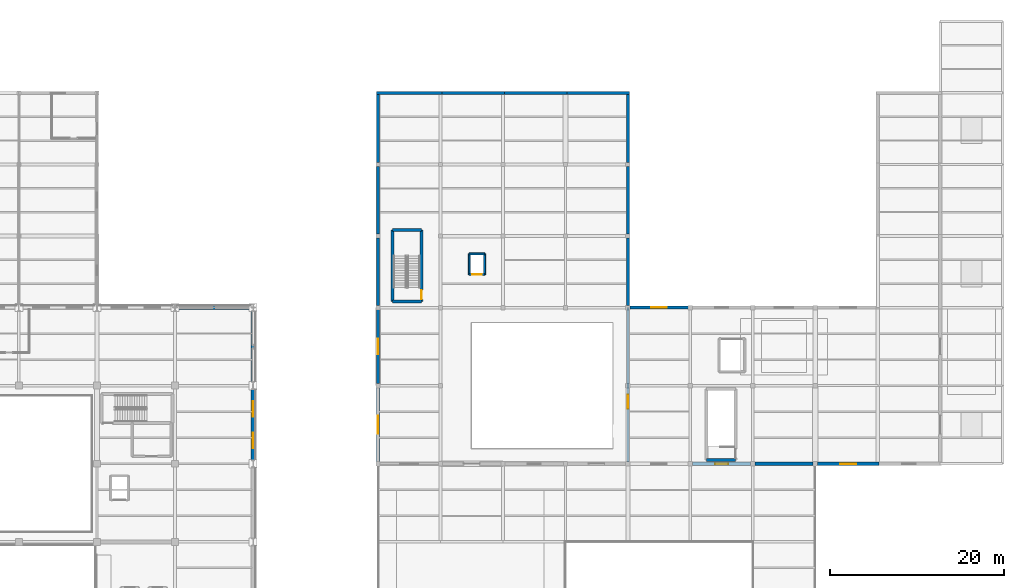
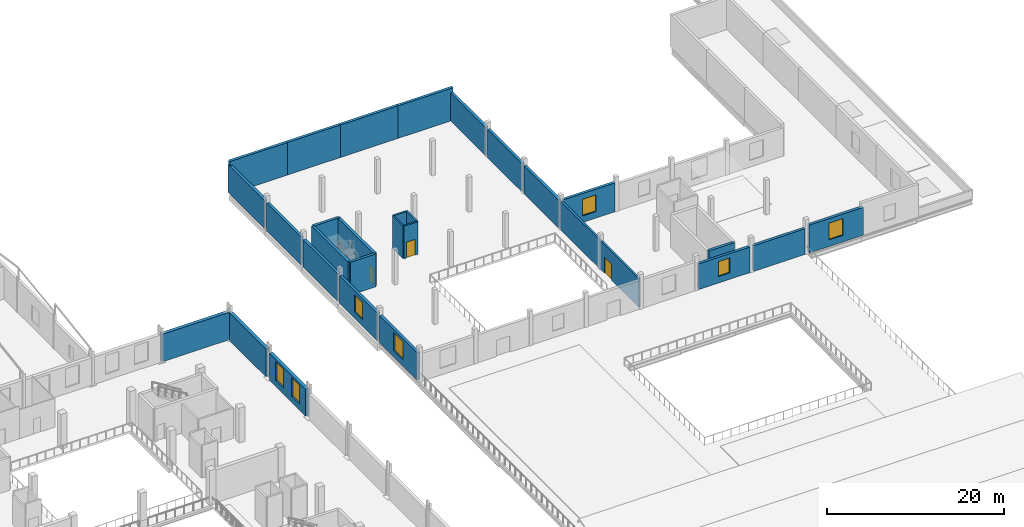
# One storey, part 37 of 54: 29 walls, 7 windows, 3 doors, 10 openings.
"""IFC4 building model written with IfcOpenShell, lengths in metres."""

from ifc_helpers import new_model, si_unit, direction, frame, frame_2d, origin, place, context, subcontext, project, spatial, rectangle, extrude, material, layer, layer_set, type_object, element, fill, save


model = new_model("IFC4")

# Units and contexts
model_context = context("Model", 3, precision=1e-05, world=origin(), true_north=direction((0.0, 1.0)))
body_context = subcontext(model_context, "Body", "Model", "MODEL_VIEW")
ifc_project = project(units=[si_unit("LENGTHUNIT", "METRE"), si_unit("AREAUNIT", "SQUARE_METRE"), si_unit("VOLUMEUNIT", "CUBIC_METRE"), si_unit("PLANEANGLEUNIT", "RADIAN"), si_unit("MASSUNIT", "GRAM", prefix="KILO")], contexts=[model_context])

# Site, building, storey
site_placement = place(None, origin())
site = spatial("IfcSite", under=ifc_project, at=site_placement, CompositionType="ELEMENT")
building_placement = place(site_placement, origin())
building = spatial("IfcBuilding", under=site, at=building_placement, Name="Sundgate Opera House", CompositionType="ELEMENT")
storey_placement = place(building_placement, frame((0.0, 0.0, 16.800048828125)))
storey = spatial("IfcBuildingStorey", under=building, at=storey_placement, Name="L03", CompositionType="ELEMENT", Elevation=16.800048828125)

# Walls
ifc_material_1 = material(Name="Concrete C40/50", Category="concrete")
ifc_layer_1 = layer(ifc_material_1, 0.35009765625)
ifc_layer_set_1 = layer_set([ifc_layer_1], Name="Concrete C40/50")
wall_type_1 = type_object("IfcWallType", Name="WL-CORE-350", PredefinedType="SHEAR", material=ifc_layer_set_1)
for number, where, z_axis, x_axis, name in (
    (1, (97.06005859375, 87.7099609375, 0.0), (0.0, 0.0, 1.0), (1.0, 0.0, 0.0), "L03 C5 South Shaft Wall"),
    (2, (97.06005859375, 95.93994140625, 0.0), (0.0, 0.0, 1.0), (1.0, 0.0, 0.0), "L03 C5 North Shaft Wall"),
):
    element("IfcWall", number, at=place(storey_placement, frame(where, z_axis=z_axis, x_axis=x_axis)), inside=storey, type_object=wall_type_1, Name=name, PredefinedType="SHEAR", context=body_context, shape_type="SweptSolid", body=[
        extrude(rectangle(XDim=3.329833984375, YDim=0.35009765625, at=frame_2d((1.6650390625, 0.0))), origin(), (0.0, 0.0, 1.0), 4.52001953125),
    ])
wall_1_placement = place(storey_placement, frame((97.06005859375, 87.7099609375, 0.0), z_axis=(0.0, 0.0, 1.0), x_axis=(0.0, 1.0, 0.0)))
element("IfcWall", 3, at=wall_1_placement, inside=storey, type_object=wall_type_1, Name="L03 C5 West Shaft Wall", PredefinedType="SHEAR", context=body_context, shape_type="SweptSolid", body=[
    extrude(rectangle(XDim=8.22998046875, YDim=0.35009765625, at=frame_2d((4.114990234375, 0.0))), origin(), (0.0, 0.0, 1.0), 4.52001953125),
])

# Wall, opening, door
wall_2_placement = place(storey_placement, frame((100.389892578125, 87.7099609375, 0.0), z_axis=(0.0, 0.0, 1.0), x_axis=(0.0, 1.0, 0.0)))
wall_2 = element("IfcWall", 4, at=wall_2_placement, inside=storey, type_object=wall_type_1, Name="L03 C5 East Shaft Wall", PredefinedType="SHEAR", context=body_context, shape_type="SweptSolid", body=[
    extrude(rectangle(XDim=8.22998046875, YDim=0.35009765625, at=frame_2d((4.114990234375, 0.0))), origin(), (0.0, 0.0, 1.0), 4.52001953125),
])
opening_1_placement = place(wall_2_placement, frame((0.239990234375, 0.0, 0.0)))
opening_1 = element("IfcOpeningElement", 5, at=opening_1_placement, cuts=wall_2, Name="Opening DI01", PredefinedType="OPENING", context=body_context, shape_type="SweptSolid", body=[
    extrude(rectangle(XDim=1.050048828125, YDim=2.179931640625, at=frame_2d((0.52490234375, 1.08984375))), frame((0.0, 0.18505859375, 0.0), z_axis=(0.0, -1.0, 0.0), x_axis=(1.0, 0.0, 0.0)), (0.0, 0.0, 1.0), 0.3701171875),
])
ifc_material_2 = material(Name="Acoustic hardwood timber and steel core", Category="steel")
door_type_1 = type_object("IfcDoorType", Name="DR-STAIR-1050x2180", OperationType="NOTDEFINED", PredefinedType="DOOR", material=ifc_material_2)
door_1_placement = place(opening_1_placement, origin())
door_1 = element("IfcDoor", 6, at=door_1_placement, inside=storey, type_object=door_type_1, Name="L03 C5 Stair Door D0076", OperationType="SINGLE_SWING_RIGHT", OverallHeight=2.179931640625, OverallWidth=1.050048828125, PredefinedType="DOOR", context=body_context, shape_type="SweptSolid", body=[
    extrude(rectangle(XDim=1.050048828125, YDim=2.179931640625, at=frame_2d((0.52490234375, 1.08984375))), frame((0.0, 0.02490234375, 0.0), z_axis=(0.0, -1.0, 0.0), x_axis=(1.0, 0.0, 0.0)), (0.0, 0.0, 1.0), 0.050048828125),
])
fill(opening_1, door_1)

# Wall
wall_3_placement = place(storey_placement, frame((133.260009765625, 69.409912109375, 0.0), z_axis=(0.0, 0.0, 1.0), x_axis=(1.0, 0.0, 0.0)))
element("IfcWall", 7, at=wall_3_placement, inside=storey, type_object=wall_type_1, Name="L03 C6 South Shaft Wall", PredefinedType="SHEAR", context=body_context, shape_type="SweptSolid", body=[
    extrude(rectangle(XDim=3.330078125, YDim=0.35009765625, at=frame_2d((1.6650390625, 0.0))), origin(), (0.0, 0.0, 1.0), 4.52001953125),
])

# Wall, opening, window
ifc_material_3 = material(Name="Scanian red-brown facing brick masonry", Category="masonry")
ifc_layer_2 = layer(ifc_material_3, 0.360107421875)
ifc_layer_set_2 = layer_set([ifc_layer_2], Name="Scanian red-brown facing brick masonry")
wall_type_2 = type_object("IfcWallType", Name="WL-EXT-BRICK-360", PredefinedType="SOLIDWALL", material=ifc_layer_set_2)
wall_4_placement = place(storey_placement, frame((124.445068359375, 87.0, 0.0), z_axis=(0.0, 0.0, 1.0), x_axis=(1.0, 0.0, 0.0)))
wall_4 = element("IfcWall", 8, at=wall_4_placement, inside=storey, type_object=wall_type_2, Name="L03 Conservatory North Brick Wall W0249", PredefinedType="SOLIDWALL", context=body_context, shape_type="SweptSolid", body=[
    extrude(rectangle(XDim=6.7099609375, YDim=0.360107421875, at=frame_2d((3.35498046875, 0.0))), origin(), (0.0, 0.0, 1.0), 3.98486328125),
])
opening_2_placement = place(wall_4_placement, frame((2.455078125, 0.0, 0.89990234375)))
opening_2 = element("IfcOpeningElement", 9, at=opening_2_placement, cuts=wall_4, Name="Opening W05", PredefinedType="OPENING", context=body_context, shape_type="SweptSolid", body=[
    extrude(rectangle(XDim=1.800048828125, YDim=2.300048828125, at=frame_2d((0.89990234375, 1.14990234375))), frame((0.0, 0.18994140625, 0.0), z_axis=(0.0, -1.0, 0.0), x_axis=(1.0, 0.0, 0.0)), (0.0, 0.0, 1.0), 0.380126953125),
])
ifc_material_4 = material(Name="Low-iron triple glazing in patinated bronze frame", Category="glass")
window_type_1 = type_object("IfcWindowType", Name="WN-CONS-1800x2300", PartitioningType="SINGLE_PANEL", PredefinedType="WINDOW", material=ifc_material_4)
window_1_placement = place(opening_2_placement, origin())
window_1 = element("IfcWindow", 10, at=window_1_placement, inside=storey, type_object=window_type_1, Name="L03 Conservatory Window WN0197", OverallHeight=2.300048828125, OverallWidth=1.800048828125, PartitioningType="SINGLE_PANEL", PredefinedType="WINDOW", context=body_context, shape_type="SweptSolid", body=[
    extrude(rectangle(XDim=1.800048828125, YDim=2.300048828125, at=frame_2d((0.89990234375, 1.14990234375))), frame((0.0, 0.030029296875, 0.0), z_axis=(0.0, -1.0, 0.0), x_axis=(1.0, 0.0, 0.0)), (0.0, 0.0, 1.0), 0.06005859375),
])
fill(opening_2, window_1)

wall_5_placement = place(storey_placement, frame((95.39990234375, 77.7548828125, 0.0), z_axis=(0.0, 0.0, 1.0), x_axis=(0.0, -1.0, 0.0)))
wall_5 = element("IfcWall", 11, at=wall_5_placement, inside=storey, type_object=wall_type_2, Name="L03 Conservatory West Brick Wall W0255", PredefinedType="SOLIDWALL", context=body_context, shape_type="SweptSolid", body=[
    extrude(rectangle(XDim=8.509765625, YDim=0.360107421875, at=frame_2d((4.2548828125, 0.0))), origin(), (0.0, 0.0, 1.0), 3.784912109375),
])
opening_3_placement = place(wall_5_placement, frame((3.205078125, 0.0, 0.89990234375)))
opening_3 = element("IfcOpeningElement", 12, at=opening_3_placement, cuts=wall_5, Name="Opening W04", PredefinedType="OPENING", context=body_context, shape_type="SweptSolid", body=[
    extrude(rectangle(XDim=2.10009765625, YDim=2.5, at=frame_2d((1.050048828125, 1.25))), frame((0.0, 0.18994140625, 0.0), z_axis=(0.0, -1.0, 0.0), x_axis=(1.0, 0.0, 0.0)), (0.0, 0.0, 1.0), 0.380126953125),
])
ifc_material_5 = material(Name="Low-iron triple glazing in patinated bronze frame", Category="glass")
window_type_2 = type_object("IfcWindowType", Name="WN-CONS-2100x2500", PartitioningType="SINGLE_PANEL", PredefinedType="WINDOW", material=ifc_material_5)
window_2_placement = place(opening_3_placement, origin())
window_2 = element("IfcWindow", 13, at=window_2_placement, inside=storey, type_object=window_type_2, Name="L03 Conservatory Window WN0203", OverallHeight=2.5, OverallWidth=2.10009765625, PartitioningType="SINGLE_PANEL", PredefinedType="WINDOW", context=body_context, shape_type="SweptSolid", body=[
    extrude(rectangle(XDim=2.10009765625, YDim=2.5, at=frame_2d((1.050048828125, 1.25))), frame((0.0, 0.030029296875, 0.0), z_axis=(0.0, -1.0, 0.0), x_axis=(1.0, 0.0, 0.0)), (0.0, 0.0, 1.0), 0.06005859375),
])
fill(opening_3, window_2)

wall_6_placement = place(storey_placement, frame((95.39990234375, 86.7548828125, 0.0), z_axis=(0.0, 0.0, 1.0), x_axis=(0.0, -1.0, 0.0)))
wall_6 = element("IfcWall", 14, at=wall_6_placement, inside=storey, type_object=wall_type_2, Name="L03 Conservatory West Brick Wall W0256", PredefinedType="SOLIDWALL", context=body_context, shape_type="SweptSolid", body=[
    extrude(rectangle(XDim=8.509765625, YDim=0.360107421875, at=frame_2d((4.2548828125, 0.0))), origin(), (0.0, 0.0, 1.0), 3.784912109375),
])
opening_4_placement = place(wall_6_placement, frame((3.35498046875, 0.0, 0.89990234375)))
opening_4 = element("IfcOpeningElement", 15, at=opening_4_placement, cuts=wall_6, Name="Opening W05", PredefinedType="OPENING", context=body_context, shape_type="SweptSolid", body=[
    extrude(rectangle(XDim=1.800048828125, YDim=2.300048828125, at=frame_2d((0.89990234375, 1.14990234375))), frame((0.0, 0.18994140625, 0.0), z_axis=(0.0, -1.0, 0.0), x_axis=(1.0, 0.0, 0.0)), (0.0, 0.0, 1.0), 0.380126953125),
])
window_3_placement = place(opening_4_placement, origin())
window_3 = element("IfcWindow", 16, at=window_3_placement, inside=storey, type_object=window_type_1, Name="L03 Conservatory Window WN0204", OverallHeight=2.300048828125, OverallWidth=1.800048828125, PartitioningType="SINGLE_PANEL", PredefinedType="WINDOW", context=body_context, shape_type="SweptSolid", body=[
    extrude(rectangle(XDim=1.800048828125, YDim=2.300048828125, at=frame_2d((0.89990234375, 1.14990234375))), frame((0.0, 0.030029296875, 0.0), z_axis=(0.0, -1.0, 0.0), x_axis=(1.0, 0.0, 0.0)), (0.0, 0.0, 1.0), 0.06005859375),
])
fill(opening_4, window_3)

wall_7_placement = place(storey_placement, frame((138.35498046875, 69.0, 0.0), z_axis=(0.0, 0.0, 1.0), x_axis=(-1.0, 0.0, 0.0)))
wall_7 = element("IfcWall", 17, at=wall_7_placement, inside=storey, type_object=wall_type_2, Name="L03 Conservatory South Brick Wall W0262", PredefinedType="SOLIDWALL", context=body_context, shape_type="SweptSolid", body=[
    extrude(rectangle(XDim=6.7099609375, YDim=0.360107421875, at=frame_2d((3.35498046875, 0.0))), origin(), (0.0, 0.0, 1.0), 3.534912109375),
])
opening_5_placement = place(wall_7_placement, frame((2.60498046875, 0.0, 0.89990234375)))
opening_5 = element("IfcOpeningElement", 18, at=opening_5_placement, cuts=wall_7, Name="Opening W06", PredefinedType="OPENING", context=body_context, shape_type="SweptSolid", body=[
    extrude(rectangle(XDim=1.5, YDim=2.050048828125, at=frame_2d((0.75, 1.02490234375))), frame((0.0, 0.18994140625, 0.0), z_axis=(0.0, -1.0, 0.0), x_axis=(1.0, 0.0, 0.0)), (0.0, 0.0, 1.0), 0.380126953125),
])
ifc_material_6 = material(Name="Low-iron triple glazing in patinated bronze frame", Category="glass")
window_type_3 = type_object("IfcWindowType", Name="WN-CONS-1500x2050", PartitioningType="SINGLE_PANEL", PredefinedType="WINDOW", material=ifc_material_6)
window_4_placement = place(opening_5_placement, origin())
window_4 = element("IfcWindow", 19, at=window_4_placement, inside=storey, type_object=window_type_3, Name="L03 Conservatory Window WN0208", OverallHeight=2.050048828125, OverallWidth=1.5, PartitioningType="SINGLE_PANEL", PredefinedType="WINDOW", context=body_context, shape_type="SweptSolid", body=[
    extrude(rectangle(XDim=1.5, YDim=2.050048828125, at=frame_2d((0.75, 1.02490234375))), frame((0.0, 0.030029296875, 0.0), z_axis=(0.0, -1.0, 0.0), x_axis=(1.0, 0.0, 0.0)), (0.0, 0.0, 1.0), 0.06005859375),
])
fill(opening_5, window_4)

# Wall
wall_8_placement = place(storey_placement, frame((145.554931640625, 69.0, 0.0), z_axis=(0.0, 0.0, 1.0), x_axis=(-1.0, 0.0, 0.0)))
element("IfcWall", 20, at=wall_8_placement, inside=storey, type_object=wall_type_2, Name="L03 Conservatory South Brick Wall W0263", PredefinedType="SOLIDWALL", context=body_context, shape_type="SweptSolid", body=[
    extrude(rectangle(XDim=6.7099609375, YDim=0.360107421875, at=frame_2d((3.35498046875, 0.0))), origin(), (0.0, 0.0, 1.0), 3.534912109375),
])

# Wall, opening, window
wall_9_placement = place(storey_placement, frame((153.159912109375, 69.0, 0.0), z_axis=(0.0, 0.0, 1.0), x_axis=(-1.0, 0.0, 0.0)))
wall_9 = element("IfcWall", 21, at=wall_9_placement, inside=storey, type_object=wall_type_2, Name="L03 Conservatory South Brick Wall W0264", PredefinedType="SOLIDWALL", context=body_context, shape_type="SweptSolid", body=[
    extrude(rectangle(XDim=7.114990234375, YDim=0.360107421875, at=frame_2d((3.5576171875, 0.0))), origin(), (0.0, 0.0, 1.0), 3.8349609375),
])
opening_6_placement = place(wall_9_placement, frame((2.657958984375, 0.0, 0.89990234375)))
opening_6 = element("IfcOpeningElement", 22, at=opening_6_placement, cuts=wall_9, Name="Opening W05", PredefinedType="OPENING", context=body_context, shape_type="SweptSolid", body=[
    extrude(rectangle(XDim=1.800048828125, YDim=2.300048828125, at=frame_2d((0.89990234375, 1.14990234375))), frame((0.0, 0.18994140625, 0.0), z_axis=(0.0, -1.0, 0.0), x_axis=(1.0, 0.0, 0.0)), (0.0, 0.0, 1.0), 0.380126953125),
])
window_5_placement = place(opening_6_placement, origin())
window_5 = element("IfcWindow", 23, at=window_5_placement, inside=storey, type_object=window_type_1, Name="L03 Conservatory Window WN0209", OverallHeight=2.300048828125, OverallWidth=1.800048828125, PartitioningType="SINGLE_PANEL", PredefinedType="WINDOW", context=body_context, shape_type="SweptSolid", body=[
    extrude(rectangle(XDim=1.800048828125, YDim=2.300048828125, at=frame_2d((0.89990234375, 1.14990234375))), frame((0.0, 0.030029296875, 0.0), z_axis=(0.0, -1.0, 0.0), x_axis=(1.0, 0.0, 0.0)), (0.0, 0.0, 1.0), 0.06005859375),
])
fill(opening_6, window_5)

# Walls
for number, where, z_axis, x_axis, name in (
    (24, (95.239990234375, 111.75, 0.0), (0.0, 0.0, 1.0), (1.0, 0.0, 0.0), "L03 Conservatory North Brick Wall W0280"),
    (25, (102.43994140625, 111.75, 0.0), (0.0, 0.0, 1.0), (1.0, 0.0, 0.0), "L03 Conservatory North Brick Wall W0281"),
    (26, (109.639892578125, 111.75, 0.0), (0.0, 0.0, 1.0), (1.0, 0.0, 0.0), "L03 Conservatory North Brick Wall W0282"),
    (27, (116.840087890625, 111.75, 0.0), (0.0, 0.0, 1.0), (1.0, 0.0, 0.0), "L03 Conservatory North Brick Wall W0283"),
):
    element("IfcWall", number, at=place(storey_placement, frame(where, z_axis=z_axis, x_axis=x_axis)), inside=storey, type_object=wall_type_2, Name=name, PredefinedType="SOLIDWALL", context=body_context, shape_type="SweptSolid", body=[
        extrude(rectangle(XDim=7.52001953125, YDim=0.360107421875, at=frame_2d((3.760009765625, 0.0))), origin(), (0.0, 0.0, 1.0), 4.48486328125),
    ])
wall_10_placement = place(storey_placement, frame((95.39990234375, 95.0048828125, 0.0), z_axis=(0.0, 0.0, 1.0), x_axis=(0.0, -1.0, 0.0)))
element("IfcWall", 28, at=wall_10_placement, inside=storey, type_object=wall_type_2, Name="L03 Conservatory West Brick Wall W0284", PredefinedType="SOLIDWALL", context=body_context, shape_type="SweptSolid", body=[
    extrude(rectangle(XDim=7.759765625, YDim=0.360107421875, at=frame_2d((3.8798828125, 0.0))), origin(), (0.0, 0.0, 1.0), 3.784912109375),
])
wall_11_placement = place(storey_placement, frame((95.39990234375, 103.2548828125, 0.0), z_axis=(0.0, 0.0, 1.0), x_axis=(0.0, -1.0, 0.0)))
element("IfcWall", 29, at=wall_11_placement, inside=storey, type_object=wall_type_2, Name="L03 Conservatory West Brick Wall W0285", PredefinedType="SOLIDWALL", context=body_context, shape_type="SweptSolid", body=[
    extrude(rectangle(XDim=7.759765625, YDim=0.360107421875, at=frame_2d((3.8798828125, 0.0))), origin(), (0.0, 0.0, 1.0), 3.8349609375),
])
wall_12_placement = place(storey_placement, frame((95.39990234375, 111.909912109375, 0.0), z_axis=(0.0, 0.0, 1.0), x_axis=(0.0, -1.0, 0.0)))
element("IfcWall", 30, at=wall_12_placement, inside=storey, type_object=wall_type_2, Name="L03 Conservatory West Brick Wall W0286", PredefinedType="SOLIDWALL", context=body_context, shape_type="SweptSolid", body=[
    extrude(rectangle(XDim=8.164794921875, YDim=0.360107421875, at=frame_2d((4.08251953125, 0.0))), origin(), (0.0, 0.0, 1.0), 3.885009765625),
])
for number, where, z_axis, x_axis, name in (
    (31, (124.199951171875, 87.2451171875, 0.0), (0.0, 0.0, 1.0), (0.0, 1.0, 0.0), "L03 Conservatory East Brick Wall W0287"),
    (32, (124.199951171875, 95.4951171875, 0.0), (0.0, 0.0, 1.0), (0.0, 1.0, 0.0), "L03 Conservatory East Brick Wall W0288"),
):
    element("IfcWall", number, at=place(storey_placement, frame(where, z_axis=z_axis, x_axis=x_axis)), inside=storey, type_object=wall_type_2, Name=name, PredefinedType="SOLIDWALL", context=body_context, shape_type="SweptSolid", body=[
        extrude(rectangle(XDim=7.759765625, YDim=0.360107421875, at=frame_2d((3.8798828125, 0.0))), origin(), (0.0, 0.0, 1.0), 3.885009765625),
    ])
wall_13_placement = place(storey_placement, frame((124.199951171875, 103.7451171875, 0.0), z_axis=(0.0, 0.0, 1.0), x_axis=(0.0, 1.0, 0.0)))
element("IfcWall", 33, at=wall_13_placement, inside=storey, type_object=wall_type_2, Name="L03 Conservatory East Brick Wall W0289", PredefinedType="SOLIDWALL", context=body_context, shape_type="SweptSolid", body=[
    extrude(rectangle(XDim=8.164794921875, YDim=0.360107421875, at=frame_2d((4.08251953125, 0.0))), origin(), (0.0, 0.0, 1.0), 3.885009765625),
])
ifc_material_7 = material(Name="Komstad limestone ashlar masonry", Category="masonry")
ifc_layer_3 = layer(ifc_material_7, 0.43994140625)
ifc_layer_set_3 = layer_set([ifc_layer_3], Name="Komstad limestone ashlar masonry")
wall_type_3 = type_object("IfcWallType", Name="WL-EXT-LIME-440", PredefinedType="SOLIDWALL", material=ifc_layer_set_3)
wall_14_placement = place(storey_placement, frame((72.14501953125, 87.0, 0.0), z_axis=(0.0, 0.0, 1.0), x_axis=(1.0, 0.0, 0.0)))
element("IfcWall", 34, at=wall_14_placement, inside=storey, type_object=wall_type_3, Name="L03 Lifted Cube North Relief Wall W0080", PredefinedType="SOLIDWALL", context=body_context, shape_type="SweptSolid", body=[
    extrude(rectangle(XDim=8.7099609375, YDim=0.43994140625, at=frame_2d((4.35498046875, 0.0))), origin(), (0.0, 0.0, 1.0), 3.784912109375),
])

# Wall, openings, windows
wall_15_placement = place(storey_placement, frame((81.0, 69.39501953125, 0.0), z_axis=(0.0, 0.0, 1.0), x_axis=(0.0, 1.0, 0.0)))
wall_15 = element("IfcWall", 35, at=wall_15_placement, inside=storey, type_object=wall_type_3, Name="L03 Lifted Cube East Relief Wall W0090", PredefinedType="SOLIDWALL", context=body_context, shape_type="SweptSolid", body=[
    extrude(rectangle(XDim=8.2099609375, YDim=0.43994140625, at=frame_2d((4.10498046875, 0.0))), origin(), (0.0, 0.0, 1.0), 3.73486328125),
])
opening_7_placement = place(wall_15_placement, frame((1.39892578125, 0.0, 0.85009765625)))
opening_7 = element("IfcOpeningElement", 36, at=opening_7_placement, cuts=wall_15, Name="Opening W01", PredefinedType="OPENING", context=body_context, shape_type="SweptSolid", body=[
    extrude(rectangle(XDim=1.800048828125, YDim=2.60009765625, at=frame_2d((0.89990234375, 1.300048828125))), frame((0.0, 0.22998046875, 0.0), z_axis=(0.0, -1.0, 0.0), x_axis=(1.0, 0.0, 0.0)), (0.0, 0.0, 1.0), 0.4599609375),
])
opening_8_placement = place(wall_15_placement, frame((5.010986328125, 0.0, 0.85009765625)))
opening_8 = element("IfcOpeningElement", 37, at=opening_8_placement, cuts=wall_15, Name="Opening W01", PredefinedType="OPENING", context=body_context, shape_type="SweptSolid", body=[
    extrude(rectangle(XDim=1.800048828125, YDim=2.60009765625, at=frame_2d((0.89990234375, 1.300048828125))), frame((0.0, 0.22998046875, 0.0), z_axis=(0.0, -1.0, 0.0), x_axis=(1.0, 0.0, 0.0)), (0.0, 0.0, 1.0), 0.4599609375),
])
ifc_material_8 = material(Name="Low-iron triple glazing in patinated bronze frame", Category="glass")
window_type_4 = type_object("IfcWindowType", Name="WN-CUBE-1800x2600", PartitioningType="SINGLE_PANEL", PredefinedType="WINDOW", material=ifc_material_8)
window_6_placement = place(opening_7_placement, origin())
window_6 = element("IfcWindow", 38, at=window_6_placement, inside=storey, type_object=window_type_4, Name="L03 Cube Loggia Window WN0055", OverallHeight=2.60009765625, OverallWidth=1.800048828125, PartitioningType="SINGLE_PANEL", PredefinedType="WINDOW", context=body_context, shape_type="SweptSolid", body=[
    extrude(rectangle(XDim=1.800048828125, YDim=2.60009765625, at=frame_2d((0.89990234375, 1.300048828125))), frame((0.0, 0.030029296875, 0.0), z_axis=(0.0, -1.0, 0.0), x_axis=(1.0, 0.0, 0.0)), (0.0, 0.0, 1.0), 0.06005859375),
])
fill(opening_7, window_6)
window_7_placement = place(opening_8_placement, origin())
window_7 = element("IfcWindow", 39, at=window_7_placement, inside=storey, type_object=window_type_4, Name="L03 Cube Loggia Window WN0056", OverallHeight=2.60009765625, OverallWidth=1.800048828125, PartitioningType="SINGLE_PANEL", PredefinedType="WINDOW", context=body_context, shape_type="SweptSolid", body=[
    extrude(rectangle(XDim=1.800048828125, YDim=2.60009765625, at=frame_2d((0.89990234375, 1.300048828125))), frame((0.0, 0.030029296875, 0.0), z_axis=(0.0, -1.0, 0.0), x_axis=(1.0, 0.0, 0.0)), (0.0, 0.0, 1.0), 0.06005859375),
])
fill(opening_8, window_7)

# Wall
wall_16_placement = place(storey_placement, frame((81.0, 78.39501953125, 0.0), z_axis=(0.0, 0.0, 1.0), x_axis=(0.0, 1.0, 0.0)))
element("IfcWall", 40, at=wall_16_placement, inside=storey, type_object=wall_type_3, Name="L03 Lifted Cube East Relief Wall W0092", PredefinedType="SOLIDWALL", context=body_context, shape_type="SweptSolid", body=[
    extrude(rectangle(XDim=8.2099609375, YDim=0.43994140625, at=frame_2d((4.10498046875, 0.0))), origin(), (0.0, 0.0, 1.0), 3.8349609375),
])

# Wall, opening, door
ifc_material_9 = material(Name="Acoustic masonry partition wall", Category="masonry")
ifc_layer_4 = layer(ifc_material_9, 0.260009765625)
ifc_layer_set_4 = layer_set([ifc_layer_4], Name="Acoustic masonry partition wall")
wall_type_4 = type_object("IfcWallType", Name="WL-INT-ACOUST-260", PredefinedType="PARTITIONING", material=ifc_layer_set_4)
wall_17_placement = place(storey_placement, frame((124.199951171875, 69.199951171875, 0.0), z_axis=(0.0, 0.0, 1.0), x_axis=(0.0, 1.0, 0.0)))
wall_17 = element("IfcWall", 41, at=wall_17_placement, inside=storey, type_object=wall_type_4, Name="L03 Interior Partition W1074", PredefinedType="PARTITIONING", context=body_context, shape_type="SweptSolid", body=[
    extrude(rectangle(XDim=17.800048828125, YDim=0.260009765625, at=frame_2d((8.89990234375, 0.0))), origin(), (0.0, 0.0, 1.0), 3.93505859375),
])
opening_9_placement = place(wall_17_placement, frame((6.156005859375, 0.0, 0.0)))
opening_9 = element("IfcOpeningElement", 42, at=opening_9_placement, cuts=wall_17, Name="Opening DI06", PredefinedType="OPENING", context=body_context, shape_type="SweptSolid", body=[
    extrude(rectangle(XDim=1.60009765625, YDim=2.25, at=frame_2d((0.800048828125, 1.125))), frame((0.0, 0.139892578125, 0.0), z_axis=(0.0, -1.0, 0.0), x_axis=(1.0, 0.0, 0.0)), (0.0, 0.0, 1.0), 0.280029296875),
])
ifc_material_10 = material(Name="Acoustic hardwood timber and steel core", Category="steel")
door_type_2 = type_object("IfcDoorType", Name="DR-REH-1600x2250", OperationType="DOUBLE_DOOR_SINGLE_SWING", PredefinedType="DOOR", material=ifc_material_10)
door_2_placement = place(opening_9_placement, origin())
door_2 = element("IfcDoor", 43, at=door_2_placement, inside=storey, type_object=door_type_2, Name="L03 Interior Door D0230", OperationType="DOUBLE_DOOR_SINGLE_SWING", OverallHeight=2.25, OverallWidth=1.60009765625, PredefinedType="DOOR", context=body_context, shape_type="SweptSolid", body=[
    extrude(rectangle(XDim=1.60009765625, YDim=2.25, at=frame_2d((0.800048828125, 1.125))), frame((0.0, 0.02490234375, 0.0), z_axis=(0.0, -1.0, 0.0), x_axis=(1.0, 0.0, 0.0)), (0.0, 0.0, 1.0), 0.050048828125),
])
fill(opening_9, door_2)

ifc_material_11 = material(Name="Fire-rated gypsum and mineral-wool shaft partition", Category="gypsum")
ifc_layer_5 = layer(ifc_material_11, 0.219970703125)
ifc_layer_set_5 = layer_set([ifc_layer_5], Name="Fire-rated gypsum and mineral-wool shaft partition")
wall_type_5 = type_object("IfcWallType", Name="WL-INT-FIRE-220", PredefinedType="PARTITIONING", material=ifc_layer_set_5)
wall_18_placement = place(storey_placement, frame((105.909912109375, 90.81005859375, 0.0), z_axis=(0.0, 0.0, 1.0), x_axis=(1.0, 0.0, 0.0)))
wall_18 = element("IfcWall", 44, at=wall_18_placement, inside=storey, type_object=wall_type_5, Name="L03 LF-04 South Shaft Wall", PredefinedType="PARTITIONING", context=body_context, shape_type="SweptSolid", body=[
    extrude(rectangle(XDim=1.780029296875, YDim=0.219970703125, at=frame_2d((0.89013671875, 0.0))), origin(), (0.0, 0.0, 1.0), 4.48486328125),
])
opening_10_placement = place(wall_18_placement, frame((0.340087890625, 0.0, 0.0)))
opening_10 = element("IfcOpeningElement", 45, at=opening_10_placement, cuts=wall_18, Name="Opening LD1", PredefinedType="OPENING", context=body_context, shape_type="SweptSolid", body=[
    extrude(rectangle(XDim=1.10009765625, YDim=2.179931640625, at=frame_2d((0.550048828125, 1.08984375))), frame((0.0, 0.119873046875, 0.0), z_axis=(0.0, -1.0, 0.0), x_axis=(1.0, 0.0, 0.0)), (0.0, 0.0, 1.0), 0.239990234375),
])
ifc_material_12 = material(Name="Brushed stainless steel EN 1.4301", Category="steel")
door_type_3 = type_object("IfcDoorType", Name="DR-LIFT-1100x2180", OperationType="DOUBLE_DOOR_SLIDING", PredefinedType="DOOR", material=ifc_material_12)
door_3_placement = place(opening_10_placement, origin())
door_3 = element("IfcDoor", 46, at=door_3_placement, inside=storey, type_object=door_type_3, Name="L03 LF-04 Landing Door D0117", OperationType="DOUBLE_DOOR_SLIDING", OverallHeight=2.179931640625, OverallWidth=1.10009765625, PredefinedType="DOOR", context=body_context, shape_type="SweptSolid", body=[
    extrude(rectangle(XDim=1.10009765625, YDim=2.179931640625, at=frame_2d((0.550048828125, 1.08984375))), frame((0.0, 0.02490234375, 0.0), z_axis=(0.0, -1.0, 0.0), x_axis=(1.0, 0.0, 0.0)), (0.0, 0.0, 1.0), 0.050048828125),
])
fill(opening_10, door_3)

# Walls
wall_19_placement = place(storey_placement, frame((105.909912109375, 93.18994140625, 0.0), z_axis=(0.0, 0.0, 1.0), x_axis=(1.0, 0.0, 0.0)))
element("IfcWall", 47, at=wall_19_placement, inside=storey, type_object=wall_type_5, Name="L03 LF-04 North Shaft Wall", PredefinedType="PARTITIONING", context=body_context, shape_type="SweptSolid", body=[
    extrude(rectangle(XDim=1.780029296875, YDim=0.219970703125, at=frame_2d((0.89013671875, 0.0))), origin(), (0.0, 0.0, 1.0), 4.48486328125),
])
for number, where, z_axis, x_axis, name in (
    (48, (105.909912109375, 90.81005859375, 0.0), (0.0, 0.0, 1.0), (0.0, 1.0, 0.0), "L03 LF-04 West Shaft Wall"),
    (49, (107.68994140625, 90.81005859375, 0.0), (0.0, 0.0, 1.0), (0.0, 1.0, 0.0), "L03 LF-04 East Shaft Wall"),
):
    element("IfcWall", number, at=place(storey_placement, frame(where, z_axis=z_axis, x_axis=x_axis)), inside=storey, type_object=wall_type_5, Name=name, PredefinedType="PARTITIONING", context=body_context, shape_type="SweptSolid", body=[
        extrude(rectangle(XDim=2.3798828125, YDim=0.219970703125, at=frame_2d((1.18994140625, 0.0))), origin(), (0.0, 0.0, 1.0), 4.48486328125),
    ])

save(model, "model.ifc")
